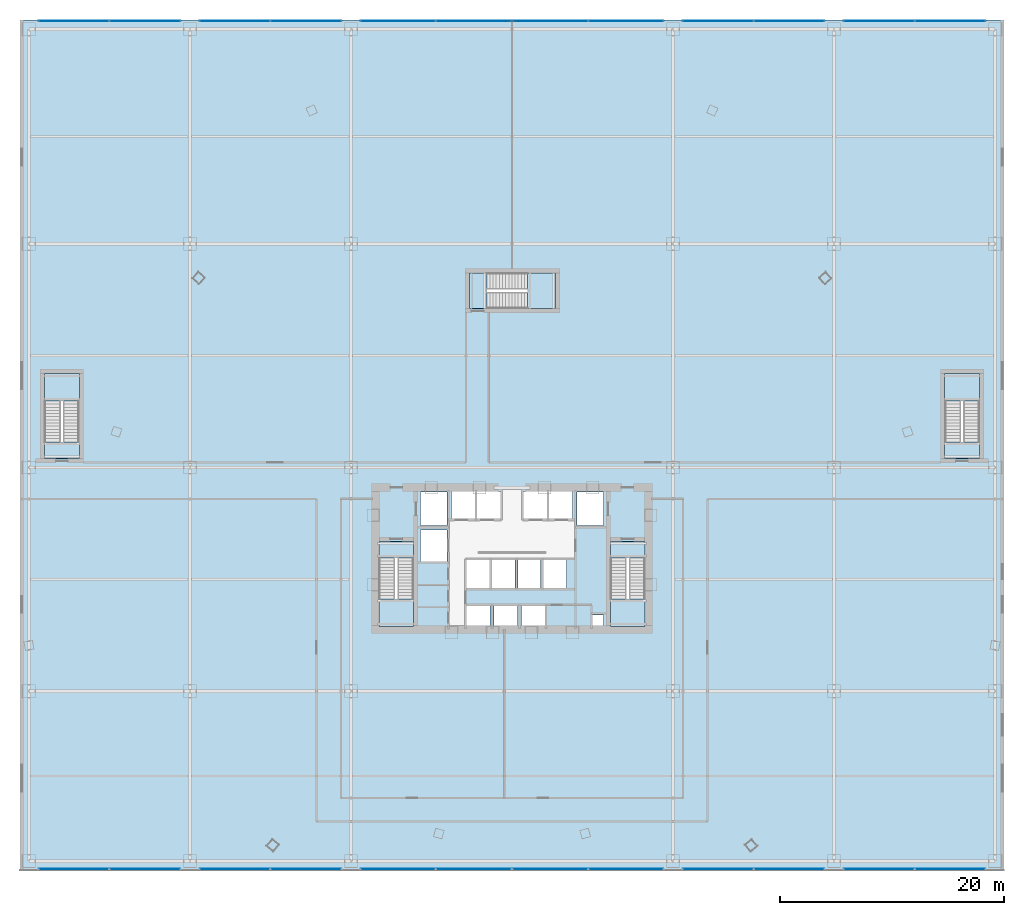
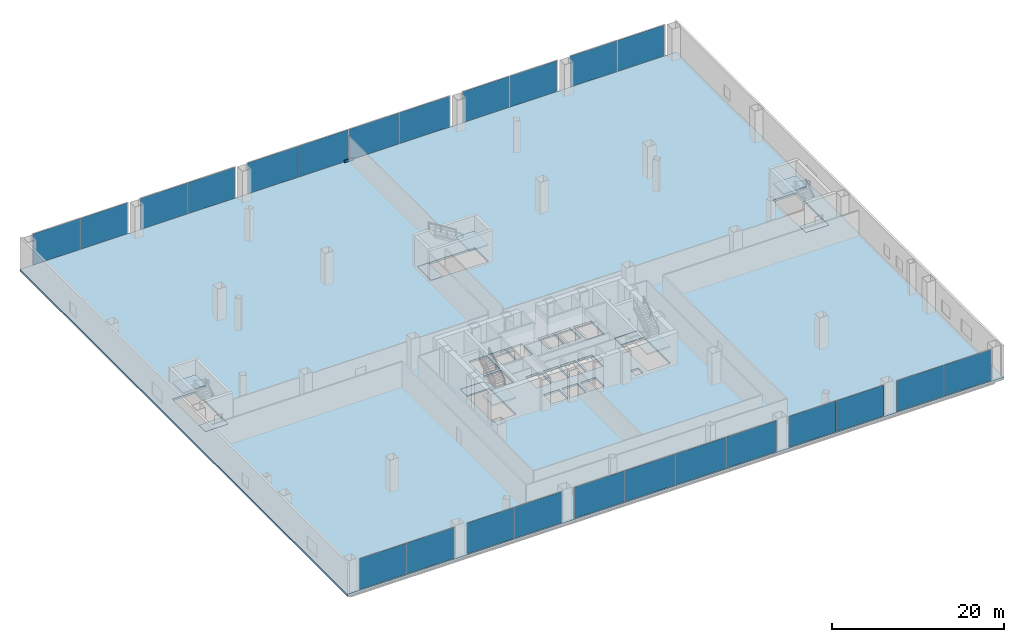
# One storey, part 32 of 40: 25 plates, 11 slabs, 15 elements without a shape of their own.
"""IFC4 building model written with IfcOpenShell, lengths in metres."""

from ifc_helpers import new_model, si_unit, direction, frame, origin, origin_2d, place, context, subcontext, project, spatial, polyline, rectangle, outline, extrude, source, transform, mapped, material, layer, layer_set, type_object, element, aggregate, save


model = new_model("IFC4")

# Units and contexts
model_context = context("Model", 3, precision=1e-05, world=origin(), true_north=direction((0.0, 1.0)))
body_context = subcontext(model_context, "Body", "Model", "MODEL_VIEW")
ifc_project = project(units=[si_unit("LENGTHUNIT", "METRE"), si_unit("AREAUNIT", "SQUARE_METRE"), si_unit("VOLUMEUNIT", "CUBIC_METRE"), si_unit("PLANEANGLEUNIT", "RADIAN"), si_unit("MASSUNIT", "GRAM", prefix="KILO"), si_unit("THERMODYNAMICTEMPERATUREUNIT", "KELVIN"), si_unit("POWERUNIT", "WATT")], contexts=[model_context])

# Site, building, storey
site_placement = place(None, origin())
site = spatial("IfcSite", under=ifc_project, at=site_placement, CompositionType="ELEMENT")
building_placement = place(site_placement, origin())
building = spatial("IfcBuilding", under=site, at=building_placement, Name="Yunzhuo Pagoda Commons", CompositionType="ELEMENT")
storey_placement = place(building_placement, frame((0.0, 0.0, 14.39990234375)))
storey = spatial("IfcBuildingStorey", under=building, at=storey_placement, Name="L04", CompositionType="ELEMENT", Elevation=14.39990234375)

# Stair, slabs
ifc_material_1 = material(Name="Concrete C40", Category="concrete")
stair_type_1 = type_object("IfcStairType", Name="ST-C1 Core Smokeproof Stair ST1", PredefinedType="HALF_TURN_STAIR", material=ifc_material_1)
stair_1_placement = place(storey_placement, origin())
stair_1 = element("IfcStair", 1, at=stair_1_placement, inside=storey, type_object=stair_type_1, Name="L04 Core smokeproof stair ST1", PredefinedType="HALF_TURN_STAIR")
ifc_layer_1 = layer(ifc_material_1, 0.199951171875)
ifc_layer_set_1 = layer_set([ifc_layer_1], Name="Concrete C40")
slab_type_1 = type_object("IfcSlabType", Name="SL-LND1 Stair Landing Slab 200", PredefinedType="LANDING", material=ifc_layer_set_1)
slab_1_placement = place(storey_placement, frame((0.0, 0.0, 2.2001953125)))
slab_1 = element("IfcSlab", 2, at=slab_1_placement, type_object=slab_type_1, Name="ST1 landing 1", PredefinedType="LANDING", context=body_context, shape_type="SweptSolid", body=[
    extrude(outline(polyline([(36.10009765625, 30.260009765625), (36.10009765625, 27.800048828125), (39.199951171875, 27.800048828125), (39.199951171875, 30.260009765625), (36.10009765625, 30.260009765625)])), origin(), (0.0, 0.0, 1.0), 0.199951171875),
])
slab_2_placement = place(storey_placement, frame((0.0, 0.0, -0.199951171875)))
slab_2 = element("IfcSlab", 3, at=slab_2_placement, type_object=slab_type_1, Name="ST1 floor landing L04", PredefinedType="LANDING", context=body_context, shape_type="SweptSolid", body=[
    extrude(outline(polyline([(36.10009765625, 35.39990234375), (36.10009765625, 33.89990234375), (39.199951171875, 33.89990234375), (39.199951171875, 35.39990234375), (36.10009765625, 35.39990234375)])), origin(), (0.0, 0.0, 1.0), 0.199951171875),
])
aggregate(stair_1, [slab_1, slab_2])

stair_type_2 = type_object("IfcStairType", Name="ST-C2 Core Smokeproof Stair ST2", PredefinedType="HALF_TURN_STAIR", material=ifc_material_1)
stair_2_placement = place(storey_placement, origin())
stair_2 = element("IfcStair", 4, at=stair_2_placement, inside=storey, type_object=stair_type_2, Name="L04 Core smokeproof stair ST2", PredefinedType="HALF_TURN_STAIR")
ifc_layer_2 = layer(ifc_material_1, 0.201904296875)
ifc_layer_set_2 = layer_set([ifc_layer_2], Name="Concrete C40")
slab_type_2 = type_object("IfcSlabType", Name="SL-LND2 Stair Landing Slab 202", PredefinedType="LANDING", material=ifc_layer_set_2)
slab_3_placement = place(storey_placement, frame((0.0, 0.0, 2.2001953125)))
slab_3 = element("IfcSlab", 5, at=slab_3_placement, type_object=slab_type_2, Name="ST2 landing 1", PredefinedType="LANDING", context=body_context, shape_type="SweptSolid", body=[
    extrude(outline(polyline([(56.800048828125, 30.260009765625), (56.800048828125, 27.800048828125), (59.89990234375, 27.800048828125), (59.89990234375, 30.260009765625), (56.800048828125, 30.260009765625)])), origin(), (0.0, 0.0, 1.0), 0.199951171875),
])
slab_4_placement = place(storey_placement, frame((0.0, 0.0, -0.199951171875)))
slab_4 = element("IfcSlab", 6, at=slab_4_placement, type_object=slab_type_2, Name="ST2 floor landing L04", PredefinedType="LANDING", context=body_context, shape_type="SweptSolid", body=[
    extrude(outline(polyline([(56.800048828125, 35.39990234375), (56.800048828125, 33.89990234375), (59.89990234375, 33.89990234375), (59.89990234375, 35.39990234375), (56.800048828125, 35.39990234375)])), origin(), (0.0, 0.0, 1.0), 0.199951171875),
])
aggregate(stair_2, [slab_3, slab_4])

stair_type_3 = type_object("IfcStairType", Name="ST-P3 Podium Exit Stair PS3", PredefinedType="HALF_TURN_STAIR", material=ifc_material_1)
stair_3_placement = place(storey_placement, origin())
stair_3 = element("IfcStair", 7, at=stair_3_placement, inside=storey, type_object=stair_type_3, Name="L04 Podium exit stair PS3", PredefinedType="HALF_TURN_STAIR")
ifc_layer_3 = layer(ifc_material_1, 0.2060546875)
ifc_layer_set_3 = layer_set([ifc_layer_3], Name="Concrete C40")
slab_type_3 = type_object("IfcSlabType", Name="SL-LND3 Podium Landing Slab 206", PredefinedType="LANDING", material=ifc_layer_set_3)
slab_5_placement = place(storey_placement, frame((0.0, 0.0, 2.2001953125)))
slab_5 = element("IfcSlab", 8, at=slab_5_placement, type_object=slab_type_3, Name="PS3 landing 1", PredefinedType="LANDING", context=body_context, shape_type="SweptSolid", body=[
    extrude(outline(polyline([(9.300048828125, 47.93994140625), (9.300048828125, 50.39990234375), (6.199951171875, 50.39990234375), (6.199951171875, 47.93994140625), (9.300048828125, 47.93994140625)])), origin(), (0.0, 0.0, 1.0), 0.199951171875),
])
slab_6_placement = place(storey_placement, frame((0.0, 0.0, -0.199951171875)))
slab_6 = element("IfcSlab", 9, at=slab_6_placement, type_object=slab_type_3, Name="PS3 floor landing L04", PredefinedType="LANDING", context=body_context, shape_type="SweptSolid", body=[
    extrude(outline(polyline([(9.300048828125, 42.800048828125), (9.300048828125, 44.300048828125), (6.199951171875, 44.300048828125), (6.199951171875, 42.800048828125), (9.300048828125, 42.800048828125)])), origin(), (0.0, 0.0, 1.0), 0.199951171875),
])
aggregate(stair_3, [slab_5, slab_6])

stair_type_4 = type_object("IfcStairType", Name="ST-P4 Podium Exit Stair PS4", PredefinedType="HALF_TURN_STAIR", material=ifc_material_1)
stair_4_placement = place(storey_placement, origin())
stair_4 = element("IfcStair", 10, at=stair_4_placement, inside=storey, type_object=stair_type_4, Name="L04 Podium exit stair PS4", PredefinedType="HALF_TURN_STAIR")
ifc_layer_4 = layer(ifc_material_1, 0.2080078125)
ifc_layer_set_4 = layer_set([ifc_layer_4], Name="Concrete C40")
slab_type_4 = type_object("IfcSlabType", Name="SL-LND4 Podium Landing Slab 208", PredefinedType="LANDING", material=ifc_layer_set_4)
slab_7_placement = place(storey_placement, frame((0.0, 0.0, 2.2001953125)))
slab_7 = element("IfcSlab", 11, at=slab_7_placement, type_object=slab_type_4, Name="PS4 landing 1", PredefinedType="LANDING", context=body_context, shape_type="SweptSolid", body=[
    extrude(outline(polyline([(89.800048828125, 47.93994140625), (89.800048828125, 50.39990234375), (86.699951171875, 50.39990234375), (86.699951171875, 47.93994140625), (89.800048828125, 47.93994140625)])), origin(), (0.0, 0.0, 1.0), 0.199951171875),
])
slab_8_placement = place(storey_placement, frame((0.0, 0.0, -0.199951171875)))
slab_8 = element("IfcSlab", 12, at=slab_8_placement, type_object=slab_type_4, Name="PS4 floor landing L04", PredefinedType="LANDING", context=body_context, shape_type="SweptSolid", body=[
    extrude(outline(polyline([(89.800048828125, 42.800048828125), (89.800048828125, 44.300048828125), (86.699951171875, 44.300048828125), (86.699951171875, 42.800048828125), (89.800048828125, 42.800048828125)])), origin(), (0.0, 0.0, 1.0), 0.199951171875),
])
aggregate(stair_4, [slab_7, slab_8])

stair_type_5 = type_object("IfcStairType", Name="ST-C3 North Tower Smokeproof Stair ST3", PredefinedType="HALF_TURN_STAIR", material=ifc_material_1)
stair_5_placement = place(storey_placement, origin())
stair_5 = element("IfcStair", 13, at=stair_5_placement, inside=storey, type_object=stair_type_5, Name="L04 North tower smokeproof stair ST3", PredefinedType="HALF_TURN_STAIR")
ifc_layer_5 = layer(ifc_material_1, 0.2041015625)
ifc_layer_set_5 = layer_set([ifc_layer_5], Name="Concrete C40")
slab_type_5 = type_object("IfcSlabType", Name="SL-LND5 North Landing Slab 204", PredefinedType="LANDING", material=ifc_layer_set_5)
slab_9_placement = place(storey_placement, frame((0.0, 0.0, 2.2001953125)))
slab_9 = element("IfcSlab", 14, at=slab_9_placement, type_object=slab_type_5, Name="ST3 landing 1", PredefinedType="LANDING", context=body_context, shape_type="SweptSolid", body=[
    extrude(outline(polyline([(49.389892578125, 56.199951171875), (51.89990234375, 56.199951171875), (51.89990234375, 59.39990234375), (49.389892578125, 59.39990234375), (49.389892578125, 56.199951171875)])), origin(), (0.0, 0.0, 1.0), 0.199951171875),
])
slab_10_placement = place(storey_placement, frame((0.0, 0.0, -0.199951171875)))
slab_10 = element("IfcSlab", 15, at=slab_10_placement, type_object=slab_type_5, Name="ST3 floor landing L04", PredefinedType="LANDING", context=body_context, shape_type="SweptSolid", body=[
    extrude(outline(polyline([(44.199951171875, 56.199951171875), (45.75, 56.199951171875), (45.75, 59.39990234375), (44.199951171875, 59.39990234375), (44.199951171875, 56.199951171875)])), origin(), (0.0, 0.0, 1.0), 0.199951171875),
])
aggregate(stair_5, [slab_9, slab_10])

# Slab
ifc_layer_6 = layer(ifc_material_1, 0.280029296875)
ifc_layer_set_6 = layer_set([ifc_layer_6], Name="Concrete C40")
slab_type_6 = type_object("IfcSlabType", Name="SL-POD Podium & Refuge Floor Slab 280", PredefinedType="FLOOR", material=ifc_layer_set_6)
slab_11_placement = place(storey_placement, frame((0.0, 0.0, -0.27978515625)))
element("IfcSlab", 16, at=slab_11_placement, inside=storey, type_object=slab_type_6, Name="L04 structural floor slab", PredefinedType="FLOOR", context=body_context, shape_type="SweptSolid", body=[
    extrude(outline(polyline([(4.0, 82.0), (92.0, 82.0), (92.0, 6.0), (4.0, 6.0), (4.0, 82.0)]), holes=[polyline([(46.050048828125, 27.60009765625), (46.050048828125, 29.64990234375), (43.949951171875, 29.64990234375), (43.949951171875, 27.60009765625), (46.050048828125, 27.60009765625)]), polyline([(48.5, 27.60009765625), (48.5, 29.64990234375), (46.39990234375, 29.64990234375), (46.39990234375, 27.60009765625), (48.5, 27.60009765625)]), polyline([(36.10009765625, 27.800048828125), (39.199951171875, 27.800048828125), (39.199951171875, 35.39990234375), (36.10009765625, 35.39990234375), (36.10009765625, 27.800048828125)]), polyline([(43.929931640625, 31.199951171875), (45.969970703125, 31.199951171875), (45.969970703125, 33.800048828125), (43.929931640625, 33.800048828125), (43.929931640625, 31.199951171875)]), polyline([(46.22998046875, 31.199951171875), (48.27001953125, 31.199951171875), (48.27001953125, 33.800048828125), (46.22998046875, 33.800048828125), (46.22998046875, 31.199951171875)]), polyline([(42.199951171875, 33.60009765625), (42.199951171875, 36.39990234375), (39.800048828125, 36.39990234375), (39.800048828125, 33.60009765625), (42.199951171875, 33.60009765625)]), polyline([(42.199951171875, 36.800048828125), (42.199951171875, 39.800048828125), (39.800048828125, 39.800048828125), (39.800048828125, 36.800048828125), (42.199951171875, 36.800048828125)]), polyline([(44.699951171875, 37.39990234375), (44.699951171875, 39.85009765625), (42.60009765625, 39.85009765625), (42.60009765625, 37.39990234375), (44.699951171875, 37.39990234375)]), polyline([(44.85009765625, 37.39990234375), (46.949951171875, 37.39990234375), (46.949951171875, 39.85009765625), (44.85009765625, 39.85009765625), (44.85009765625, 37.39990234375)]), polyline([(9.300048828125, 42.800048828125), (9.300048828125, 50.39990234375), (6.199951171875, 50.39990234375), (6.199951171875, 42.800048828125), (9.300048828125, 42.800048828125)]), polyline([(56.179931640625, 27.699951171875), (56.179931640625, 28.800048828125), (55.179931640625, 28.800048828125), (55.179931640625, 27.699951171875), (56.179931640625, 27.699951171875)]), polyline([(50.949951171875, 27.60009765625), (50.949951171875, 29.64990234375), (48.85009765625, 29.64990234375), (48.85009765625, 27.60009765625), (50.949951171875, 27.60009765625)]), polyline([(56.800048828125, 27.800048828125), (59.89990234375, 27.800048828125), (59.89990234375, 35.39990234375), (56.800048828125, 35.39990234375), (56.800048828125, 27.800048828125)]), polyline([(48.530029296875, 31.199951171875), (50.570068359375, 31.199951171875), (50.570068359375, 33.800048828125), (48.530029296875, 33.800048828125), (48.530029296875, 31.199951171875)]), polyline([(50.830078125, 31.199951171875), (52.8701171875, 31.199951171875), (52.8701171875, 33.800048828125), (50.830078125, 33.800048828125), (50.830078125, 31.199951171875)]), polyline([(56.199951171875, 36.800048828125), (56.199951171875, 39.800048828125), (53.800048828125, 39.800048828125), (53.800048828125, 36.800048828125), (56.199951171875, 36.800048828125)]), polyline([(51.14990234375, 37.39990234375), (51.14990234375, 39.85009765625), (49.050048828125, 39.85009765625), (49.050048828125, 37.39990234375), (51.14990234375, 37.39990234375)]), polyline([(53.39990234375, 37.39990234375), (53.39990234375, 39.85009765625), (51.300048828125, 39.85009765625), (51.300048828125, 37.39990234375), (53.39990234375, 37.39990234375)]), polyline([(89.800048828125, 42.800048828125), (89.800048828125, 50.39990234375), (86.699951171875, 50.39990234375), (86.699951171875, 42.800048828125), (89.800048828125, 42.800048828125)]), polyline([(44.199951171875, 56.199951171875), (51.89990234375, 56.199951171875), (51.89990234375, 59.39990234375), (44.199951171875, 59.39990234375), (44.199951171875, 56.199951171875)])]), origin(), (0.0, 0.0, 1.0), 0.27978515625),
])

# Curtain wall, plates
ifc_material_2 = material(Name="Anodized aluminium 6063-T6", Category="aluminium")
ifc_layer_7 = layer(ifc_material_2, 0.179931640625)
ifc_layer_set_7 = layer_set([ifc_layer_7], Name="Anodized aluminium 6063-T6")
curtain_wall_type = type_object("IfcCurtainWallType", Name="CW-POD Waterfront Podium Curtain Wall", PredefinedType="NOTDEFINED", material=ifc_layer_set_7)
curtain_wall_1_placement = place(storey_placement, origin())
curtain_wall_1 = element("IfcCurtainWall", 17, at=curtain_wall_1_placement, inside=storey, type_object=curtain_wall_type, Name="L04 curtain wall CW-L04-S3", PredefinedType="NOTDEFINED")
ifc_material_3 = material(Name="Tempered low-e double glazing", Category="glass")
ifc_layer_8 = layer(ifc_material_3, 0.031982421875)
ifc_layer_set_8 = layer_set([ifc_layer_8], Name="Tempered low-e double glazing")
plate_type_1 = type_object("IfcPlateType", Name="CW-POD-P Low-E Double Glazing 32", PredefinedType="CURTAIN_PANEL", material=ifc_layer_set_8)
shared_shape_1 = source(origin(), body_context, "Body", "SweptSolid", [
    extrude(rectangle(XDim=6.702392578125, YDim=0.028076171875, at=origin_2d()), origin(), (0.0, 0.0, 1.0), 4.39990234375),
])
plate_1_placement = place(storey_placement, frame((37.816162109375, 6.080078125, 0.06005859375), z_axis=(0.0, 0.0, 1.0), x_axis=(1.0, 0.0, 0.0)))
plate_1 = element("IfcPlate", 18, at=plate_1_placement, type_object=plate_type_1, Name="CW panel 1.1", PredefinedType="CURTAIN_PANEL", context=body_context, shape_type="MappedRepresentation", body=[
    mapped(shared_shape_1, transform((0.0, 0.0, 0.0), scale=1.0)),
])
plate_2_placement = place(storey_placement, frame((58.183837890625, 6.080078125, 0.06005859375), z_axis=(0.0, 0.0, 1.0), x_axis=(1.0, 0.0, 0.0)))
plate_2 = element("IfcPlate", 19, at=plate_2_placement, type_object=plate_type_1, Name="CW panel 4.1", PredefinedType="CURTAIN_PANEL", context=body_context, shape_type="MappedRepresentation", body=[
    mapped(shared_shape_1, transform((0.0, 0.0, 0.0), scale=1.0)),
])

curtain_wall_2_placement = place(storey_placement, origin())
curtain_wall_2 = element("IfcCurtainWall", 20, at=curtain_wall_2_placement, inside=storey, type_object=curtain_wall_type, Name="L04 curtain wall CW-L04-N3", PredefinedType="NOTDEFINED")
plate_3_placement = place(storey_placement, frame((37.816162109375, 81.919921875, 0.06005859375), z_axis=(0.0, 0.0, 1.0), x_axis=(1.0, 0.0, 0.0)))
plate_3 = element("IfcPlate", 21, at=plate_3_placement, type_object=plate_type_1, Name="CW panel 1.1", PredefinedType="CURTAIN_PANEL", context=body_context, shape_type="MappedRepresentation", body=[
    mapped(shared_shape_1, transform((0.0, 0.0, 0.0), scale=1.0)),
])
plate_4_placement = place(storey_placement, frame((58.183837890625, 81.919921875, 0.06005859375), z_axis=(0.0, 0.0, 1.0), x_axis=(1.0, 0.0, 0.0)))
plate_4 = element("IfcPlate", 22, at=plate_4_placement, type_object=plate_type_1, Name="CW panel 4.1", PredefinedType="CURTAIN_PANEL", context=body_context, shape_type="MappedRepresentation", body=[
    mapped(shared_shape_1, transform((0.0, 0.0, 0.0), scale=1.0)),
])

curtain_wall_3_placement = place(storey_placement, origin())
curtain_wall_3 = element("IfcCurtainWall", 23, at=curtain_wall_3_placement, inside=storey, type_object=curtain_wall_type, Name="L04 curtain wall CW-L04-S1", PredefinedType="NOTDEFINED")
shared_shape_2 = source(origin(), body_context, "Body", "SweptSolid", [
    extrude(rectangle(XDim=6.302490234375, YDim=0.028076171875, at=origin_2d()), origin(), (0.0, 0.0, 1.0), 4.39990234375),
])
plate_5_placement = place(storey_placement, frame((8.816162109375, 6.080078125, 0.06005859375), z_axis=(0.0, 0.0, 1.0), x_axis=(1.0, 0.0, 0.0)))
plate_5 = element("IfcPlate", 24, at=plate_5_placement, type_object=plate_type_1, Name="CW panel 1.1", PredefinedType="CURTAIN_PANEL", context=body_context, shape_type="MappedRepresentation", body=[
    mapped(shared_shape_2, transform((0.0, 0.0, 0.0), scale=1.0)),
])
plate_6_placement = place(storey_placement, frame((15.183837890625, 6.080078125, 0.06005859375), z_axis=(0.0, 0.0, 1.0), x_axis=(1.0, 0.0, 0.0)))
plate_6 = element("IfcPlate", 25, at=plate_6_placement, type_object=plate_type_1, Name="CW panel 2.1", PredefinedType="CURTAIN_PANEL", context=body_context, shape_type="MappedRepresentation", body=[
    mapped(shared_shape_2, transform((0.0, 0.0, 0.0), scale=1.0)),
])
aggregate(curtain_wall_3, [plate_5, plate_6])

curtain_wall_4_placement = place(storey_placement, origin())
curtain_wall_4 = element("IfcCurtainWall", 26, at=curtain_wall_4_placement, inside=storey, type_object=curtain_wall_type, Name="L04 curtain wall CW-L04-S2", PredefinedType="NOTDEFINED")
plate_7_placement = place(storey_placement, frame((23.21630859375, 6.080078125, 0.06005859375), z_axis=(0.0, 0.0, 1.0), x_axis=(1.0, 0.0, 0.0)))
plate_7 = element("IfcPlate", 27, at=plate_7_placement, type_object=plate_type_1, Name="CW panel 1.1", PredefinedType="CURTAIN_PANEL", context=body_context, shape_type="MappedRepresentation", body=[
    mapped(shared_shape_2, transform((0.0, 0.0, 0.0), scale=1.0)),
])
plate_8_placement = place(storey_placement, frame((29.583740234375, 6.080078125, 0.06005859375), z_axis=(0.0, 0.0, 1.0), x_axis=(1.0, 0.0, 0.0)))
plate_8 = element("IfcPlate", 28, at=plate_8_placement, type_object=plate_type_1, Name="CW panel 2.1", PredefinedType="CURTAIN_PANEL", context=body_context, shape_type="MappedRepresentation", body=[
    mapped(shared_shape_2, transform((0.0, 0.0, 0.0), scale=1.0)),
])
aggregate(curtain_wall_4, [plate_7, plate_8])

curtain_wall_5_placement = place(storey_placement, origin())
curtain_wall_5 = element("IfcCurtainWall", 29, at=curtain_wall_5_placement, inside=storey, type_object=curtain_wall_type, Name="L04 curtain wall CW-L04-S4", PredefinedType="NOTDEFINED")
plate_9_placement = place(storey_placement, frame((66.416259765625, 6.080078125, 0.06005859375), z_axis=(0.0, 0.0, 1.0), x_axis=(1.0, 0.0, 0.0)))
plate_9 = element("IfcPlate", 30, at=plate_9_placement, type_object=plate_type_1, Name="CW panel 1.1", PredefinedType="CURTAIN_PANEL", context=body_context, shape_type="MappedRepresentation", body=[
    mapped(shared_shape_2, transform((0.0, 0.0, 0.0), scale=1.0)),
])
plate_10_placement = place(storey_placement, frame((72.78369140625, 6.080078125, 0.06005859375), z_axis=(0.0, 0.0, 1.0), x_axis=(1.0, 0.0, 0.0)))
plate_10 = element("IfcPlate", 31, at=plate_10_placement, type_object=plate_type_1, Name="CW panel 2.1", PredefinedType="CURTAIN_PANEL", context=body_context, shape_type="MappedRepresentation", body=[
    mapped(shared_shape_2, transform((0.0, 0.0, 0.0), scale=1.0)),
])
aggregate(curtain_wall_5, [plate_9, plate_10])

curtain_wall_6_placement = place(storey_placement, origin())
curtain_wall_6 = element("IfcCurtainWall", 32, at=curtain_wall_6_placement, inside=storey, type_object=curtain_wall_type, Name="L04 curtain wall CW-L04-S5", PredefinedType="NOTDEFINED")
plate_11_placement = place(storey_placement, frame((80.816162109375, 6.080078125, 0.06005859375), z_axis=(0.0, 0.0, 1.0), x_axis=(1.0, 0.0, 0.0)))
plate_11 = element("IfcPlate", 33, at=plate_11_placement, type_object=plate_type_1, Name="CW panel 1.1", PredefinedType="CURTAIN_PANEL", context=body_context, shape_type="MappedRepresentation", body=[
    mapped(shared_shape_2, transform((0.0, 0.0, 0.0), scale=1.0)),
])
plate_12_placement = place(storey_placement, frame((87.183837890625, 6.080078125, 0.06005859375), z_axis=(0.0, 0.0, 1.0), x_axis=(1.0, 0.0, 0.0)))
plate_12 = element("IfcPlate", 34, at=plate_12_placement, type_object=plate_type_1, Name="CW panel 2.1", PredefinedType="CURTAIN_PANEL", context=body_context, shape_type="MappedRepresentation", body=[
    mapped(shared_shape_2, transform((0.0, 0.0, 0.0), scale=1.0)),
])
aggregate(curtain_wall_6, [plate_11, plate_12])

curtain_wall_7_placement = place(storey_placement, origin())
curtain_wall_7 = element("IfcCurtainWall", 35, at=curtain_wall_7_placement, inside=storey, type_object=curtain_wall_type, Name="L04 curtain wall CW-L04-N1", PredefinedType="NOTDEFINED")
plate_13_placement = place(storey_placement, frame((8.816162109375, 81.919921875, 0.06005859375), z_axis=(0.0, 0.0, 1.0), x_axis=(1.0, 0.0, 0.0)))
plate_13 = element("IfcPlate", 36, at=plate_13_placement, type_object=plate_type_1, Name="CW panel 1.1", PredefinedType="CURTAIN_PANEL", context=body_context, shape_type="MappedRepresentation", body=[
    mapped(shared_shape_2, transform((0.0, 0.0, 0.0), scale=1.0)),
])
plate_14_placement = place(storey_placement, frame((15.183837890625, 81.919921875, 0.06005859375), z_axis=(0.0, 0.0, 1.0), x_axis=(1.0, 0.0, 0.0)))
plate_14 = element("IfcPlate", 37, at=plate_14_placement, type_object=plate_type_1, Name="CW panel 2.1", PredefinedType="CURTAIN_PANEL", context=body_context, shape_type="MappedRepresentation", body=[
    mapped(shared_shape_2, transform((0.0, 0.0, 0.0), scale=1.0)),
])
aggregate(curtain_wall_7, [plate_13, plate_14])

curtain_wall_8_placement = place(storey_placement, origin())
curtain_wall_8 = element("IfcCurtainWall", 38, at=curtain_wall_8_placement, inside=storey, type_object=curtain_wall_type, Name="L04 curtain wall CW-L04-N2", PredefinedType="NOTDEFINED")
plate_15_placement = place(storey_placement, frame((23.21630859375, 81.919921875, 0.06005859375), z_axis=(0.0, 0.0, 1.0), x_axis=(1.0, 0.0, 0.0)))
plate_15 = element("IfcPlate", 39, at=plate_15_placement, type_object=plate_type_1, Name="CW panel 1.1", PredefinedType="CURTAIN_PANEL", context=body_context, shape_type="MappedRepresentation", body=[
    mapped(shared_shape_2, transform((0.0, 0.0, 0.0), scale=1.0)),
])
plate_16_placement = place(storey_placement, frame((29.583740234375, 81.919921875, 0.06005859375), z_axis=(0.0, 0.0, 1.0), x_axis=(1.0, 0.0, 0.0)))
plate_16 = element("IfcPlate", 40, at=plate_16_placement, type_object=plate_type_1, Name="CW panel 2.1", PredefinedType="CURTAIN_PANEL", context=body_context, shape_type="MappedRepresentation", body=[
    mapped(shared_shape_2, transform((0.0, 0.0, 0.0), scale=1.0)),
])
aggregate(curtain_wall_8, [plate_15, plate_16])

curtain_wall_9_placement = place(storey_placement, origin())
curtain_wall_9 = element("IfcCurtainWall", 41, at=curtain_wall_9_placement, inside=storey, type_object=curtain_wall_type, Name="L04 curtain wall CW-L04-N4", PredefinedType="NOTDEFINED")
plate_17_placement = place(storey_placement, frame((66.416259765625, 81.919921875, 0.06005859375), z_axis=(0.0, 0.0, 1.0), x_axis=(1.0, 0.0, 0.0)))
plate_17 = element("IfcPlate", 42, at=plate_17_placement, type_object=plate_type_1, Name="CW panel 1.1", PredefinedType="CURTAIN_PANEL", context=body_context, shape_type="MappedRepresentation", body=[
    mapped(shared_shape_2, transform((0.0, 0.0, 0.0), scale=1.0)),
])
plate_18_placement = place(storey_placement, frame((72.78369140625, 81.919921875, 0.06005859375), z_axis=(0.0, 0.0, 1.0), x_axis=(1.0, 0.0, 0.0)))
plate_18 = element("IfcPlate", 43, at=plate_18_placement, type_object=plate_type_1, Name="CW panel 2.1", PredefinedType="CURTAIN_PANEL", context=body_context, shape_type="MappedRepresentation", body=[
    mapped(shared_shape_2, transform((0.0, 0.0, 0.0), scale=1.0)),
])
aggregate(curtain_wall_9, [plate_17, plate_18])

curtain_wall_10_placement = place(storey_placement, origin())
curtain_wall_10 = element("IfcCurtainWall", 44, at=curtain_wall_10_placement, inside=storey, type_object=curtain_wall_type, Name="L04 curtain wall CW-L04-N5", PredefinedType="NOTDEFINED")
plate_19_placement = place(storey_placement, frame((80.816162109375, 81.919921875, 0.06005859375), z_axis=(0.0, 0.0, 1.0), x_axis=(1.0, 0.0, 0.0)))
plate_19 = element("IfcPlate", 45, at=plate_19_placement, type_object=plate_type_1, Name="CW panel 1.1", PredefinedType="CURTAIN_PANEL", context=body_context, shape_type="MappedRepresentation", body=[
    mapped(shared_shape_2, transform((0.0, 0.0, 0.0), scale=1.0)),
])
plate_20_placement = place(storey_placement, frame((87.183837890625, 81.919921875, 0.06005859375), z_axis=(0.0, 0.0, 1.0), x_axis=(1.0, 0.0, 0.0)))
plate_20 = element("IfcPlate", 46, at=plate_20_placement, type_object=plate_type_1, Name="CW panel 2.1", PredefinedType="CURTAIN_PANEL", context=body_context, shape_type="MappedRepresentation", body=[
    mapped(shared_shape_2, transform((0.0, 0.0, 0.0), scale=1.0)),
])
aggregate(curtain_wall_10, [plate_19, plate_20])

# Plate
shared_shape_3 = source(origin(), body_context, "Body", "SweptSolid", [
    extrude(rectangle(XDim=6.735107421875, YDim=0.028076171875, at=origin_2d()), origin(), (0.0, 0.0, 1.0), 4.39990234375),
])
plate_21_placement = place(storey_placement, frame((44.60009765625, 6.080078125, 0.06005859375), z_axis=(0.0, 0.0, 1.0), x_axis=(1.0, 0.0, 0.0)))
plate_21 = element("IfcPlate", 47, at=plate_21_placement, type_object=plate_type_1, Name="CW panel 2.1", PredefinedType="CURTAIN_PANEL", context=body_context, shape_type="MappedRepresentation", body=[
    mapped(shared_shape_3, transform((0.0, 0.0, 0.0), scale=1.0)),
])

plate_22_placement = place(storey_placement, frame((51.39990234375, 6.080078125, 0.06005859375), z_axis=(0.0, 0.0, 1.0), x_axis=(1.0, 0.0, 0.0)))
plate_22 = element("IfcPlate", 48, at=plate_22_placement, type_object=plate_type_1, Name="CW panel 3.1", PredefinedType="CURTAIN_PANEL", context=body_context, shape_type="MappedRepresentation", body=[
    mapped(shared_shape_3, transform((0.0, 0.0, 0.0), scale=1.0)),
])

aggregate(curtain_wall_1, [plate_1, plate_21, plate_22, plate_2])

plate_23_placement = place(storey_placement, frame((44.60009765625, 81.919921875, 0.06005859375), z_axis=(0.0, 0.0, 1.0), x_axis=(1.0, 0.0, 0.0)))
plate_23 = element("IfcPlate", 49, at=plate_23_placement, type_object=plate_type_1, Name="CW panel 2.1", PredefinedType="CURTAIN_PANEL", context=body_context, shape_type="MappedRepresentation", body=[
    mapped(shared_shape_3, transform((0.0, 0.0, 0.0), scale=1.0)),
])

plate_24_placement = place(storey_placement, frame((51.39990234375, 81.919921875, 0.06005859375), z_axis=(0.0, 0.0, 1.0), x_axis=(1.0, 0.0, 0.0)))
plate_24 = element("IfcPlate", 50, at=plate_24_placement, type_object=plate_type_1, Name="CW panel 3.1", PredefinedType="CURTAIN_PANEL", context=body_context, shape_type="MappedRepresentation", body=[
    mapped(shared_shape_3, transform((0.0, 0.0, 0.0), scale=1.0)),
])

aggregate(curtain_wall_2, [plate_3, plate_23, plate_24, plate_4])

ifc_layer_9 = layer(ifc_material_2, 0.011962890625)
ifc_layer_set_9 = layer_set([ifc_layer_9], Name="Anodized aluminium 6063-T6")
plate_type_2 = type_object("IfcPlateType", Name="PL-CLOS1 Spandrel Closure Sheet", PredefinedType="SHEET", material=ifc_layer_set_9)
shared_shape_4 = source(origin(), body_context, "Body", "SweptSolid", [
    extrude(rectangle(XDim=1.199951171875, YDim=0.199951171875, at=origin_2d()), origin(), (0.0, 0.0, 1.0), 0.449951171875),
])
plate_25_placement = place(storey_placement, frame((48.0, 81.919921875, -0.125), z_axis=(0.0, 0.0, 1.0), x_axis=(1.0, 0.0, 0.0)))
element("IfcPlate", 51, at=plate_25_placement, inside=storey, type_object=plate_type_2, Name="L04 spandrel closure sheet", PredefinedType="SHEET", context=body_context, shape_type="MappedRepresentation", body=[
    mapped(shared_shape_4, transform((0.0, 0.0, 0.0), scale=1.0)),
])

save(model, "model.ifc")
